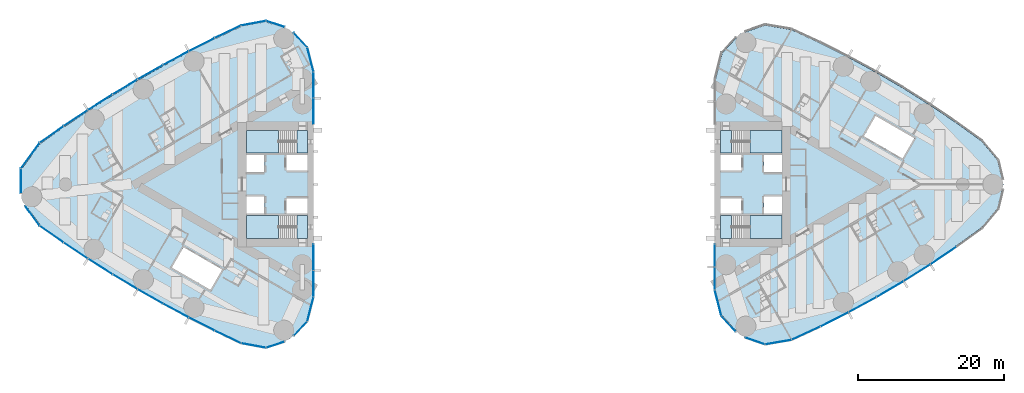
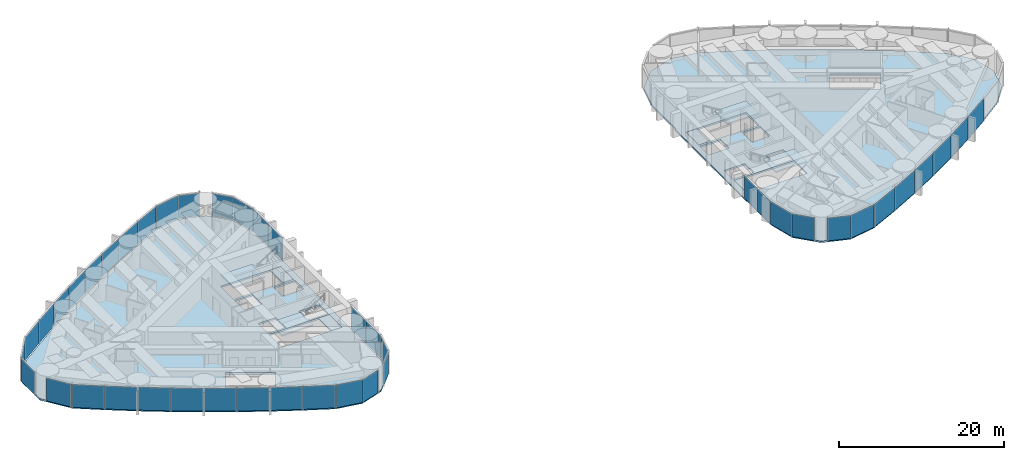
# One storey, part 10 of 19: 43 plates, 10 slabs, 10 elements without a shape of their own.
"""IFC4 building model written with IfcOpenShell, lengths in metres."""

import ifcopenshell
import ifcopenshell.guid

model = None  # the IFC model being written
_history = None  # IfcOwnerHistory: only IFC2X3 demands one
_inside = {}  # id of a spatial element -> (the spatial element, [elements in it])
_under = {}  # id of a project, library or spatial element -> (it, [spatial elements below it])
_declared = {}  # id of a project -> (the project, [libraries it declares])
_typed = {}  # id of a type object -> (the type object, [elements of that type])
_made_of = {}  # id of a material, layer set ... -> (it, [elements and type objects made of it])


def new_model(schema):
    """Start an empty IFC model of exactly this schema.

    Asked for "IFC4X3", IfcOpenShell would pick the latest addendum, in which some entities
    have other attributes; the version numbers below select the first issue.
    IFC2X3 requires an IfcOwnerHistory on every rooted entity: one is made here for all.
    """
    global model, _history
    if schema == "IFC4X3":
        model = ifcopenshell.file(schema_version=(4, 3, 0, 0))
    else:
        model = ifcopenshell.file(schema=schema)
    _inside.clear()
    _under.clear()
    _declared.clear()
    _typed.clear()
    _made_of.clear()
    _history = None
    if model.schema == "IFC2X3":
        org = make("IfcOrganization", Name="unknown")
        user = make(
            "IfcPersonAndOrganization",
            ThePerson=make("IfcPerson", FamilyName="unknown"),
            TheOrganization=org,
        )
        app = make(
            "IfcApplication",
            ApplicationDeveloper=org,
            Version="unknown",
            ApplicationFullName="unknown",
            ApplicationIdentifier="unknown",
        )
        _history = make(
            "IfcOwnerHistory",
            OwningUser=user,
            OwningApplication=app,
            ChangeAction="ADDED",
            CreationDate=0,
        )
    return model


def make(cls, **values):
    """One entity of the class cls with the attributes given. An attribute that is None is left unset."""
    return model.create_entity(
        cls, **{name: value for name, value in values.items() if value is not None}
    )


def rooted(cls, **values):
    """An entity with a GlobalId (a new one), such as an element, a storey or a relation."""
    return make(cls, GlobalId=ifcopenshell.guid.new(), OwnerHistory=_history, **values)


def si_unit(unit_type, name, prefix=None):
    """IfcSIUnit, for example si_unit("LENGTHUNIT", "METRE", prefix="MILLI")."""
    return make("IfcSIUnit", UnitType=unit_type, Prefix=prefix, Name=name)


def assignment(units):
    """IfcUnitAssignment: the units of a project."""
    return None if units is None else make("IfcUnitAssignment", Units=units)


def point(xyz):
    """IfcCartesianPoint."""
    return None if xyz is None else make("IfcCartesianPoint", Coordinates=xyz)


def direction(xyz):
    """IfcDirection."""
    return None if xyz is None else make("IfcDirection", DirectionRatios=xyz)


def frame(location, z_axis=None, x_axis=None):
    """IfcAxis2Placement3D, a coordinate frame: its origin and axes. An axis left out is left unset."""
    return make(
        "IfcAxis2Placement3D",
        Location=point(location),
        Axis=direction(z_axis),
        RefDirection=direction(x_axis),
    )


def frame_2d(location, x_axis=None):
    """IfcAxis2Placement2D, a coordinate frame in the plane: its origin and x axis."""
    return make(
        "IfcAxis2Placement2D", Location=point(location), RefDirection=direction(x_axis)
    )


def origin():
    """The frame at (0, 0, 0) with its axes left unset."""
    return frame((0.0, 0.0, 0.0))


def origin_2d():
    """The frame at (0, 0) in the plane with its x axis left unset."""
    return frame_2d((0.0, 0.0))


def place(relative_to, where):
    """IfcLocalPlacement: puts the frame where relative to a parent placement (None: the world)."""
    return make(
        "IfcLocalPlacement", PlacementRelTo=relative_to, RelativePlacement=where
    )


def context(
    kind, dimensions, precision=None, world=None, true_north=None, identifier=None
):
    """IfcGeometricRepresentationContext, for example the 3D "Model" context."""
    return make(
        "IfcGeometricRepresentationContext",
        ContextIdentifier=identifier,
        ContextType=kind,
        CoordinateSpaceDimension=dimensions,
        Precision=precision,
        WorldCoordinateSystem=world,
        TrueNorth=true_north,
    )


def subcontext(parent, identifier, kind, view, scale=None):
    """IfcGeometricRepresentationSubContext, for example "Body" below "Model"."""
    return make(
        "IfcGeometricRepresentationSubContext",
        ContextIdentifier=identifier,
        ContextType=kind,
        ParentContext=parent,
        TargetScale=scale,
        TargetView=view,
    )


def project(units=None, contexts=None):
    """IfcProject with its units and contexts."""
    return rooted(
        "IfcProject",
        Name="project",
        RepresentationContexts=contexts,
        UnitsInContext=assignment(units),
    )


def spatial(cls, under=None, at=None, **own):
    """A site, building, storey or space (cls), placed at a placement, below another one or the project."""
    s = rooted(cls, ObjectPlacement=at, **own)
    if under is not None:
        _under.setdefault(under.id(), (under, []))[1].append(s)
    return s


def polyline(points):
    """IfcPolyline through the points."""
    return make("IfcPolyline", Points=[point(p) for p in points])


def profile(cls, at=None, kind="AREA", **sizes):
    """A parametric profile (cls). Its sizes go by their IFC names, for example OverallWidth=200.0."""
    return make(cls, ProfileType=kind, Position=at, **sizes)


def rectangle(**sizes):
    """IfcRectangleProfileDef."""
    return profile("IfcRectangleProfileDef", **sizes)


def outline(outer, holes=None, kind="AREA"):
    """IfcArbitraryClosedProfileDef: a profile drawn as a closed curve; with holes, ...WithVoids."""
    if holes is None:
        return make("IfcArbitraryClosedProfileDef", ProfileType=kind, OuterCurve=outer)
    return make(
        "IfcArbitraryProfileDefWithVoids",
        ProfileType=kind,
        OuterCurve=outer,
        InnerCurves=holes,
    )


def extrude(swept, where, along, depth):
    """IfcExtrudedAreaSolid: the profile swept, set in the frame where, extruded along a direction by depth."""
    return make(
        "IfcExtrudedAreaSolid",
        SweptArea=swept,
        Position=where,
        ExtrudedDirection=direction(along),
        Depth=depth,
    )


def shape(context_of_items, identifier, shape_type, items):
    """IfcShapeRepresentation: the items that make up one representation, for example the "Body"."""
    return make(
        "IfcShapeRepresentation",
        ContextOfItems=context_of_items,
        RepresentationIdentifier=identifier,
        RepresentationType=shape_type,
        Items=items,
    )


def material(Name=None, Category=None):
    """IfcMaterial."""
    return make("IfcMaterial", Name=Name, Category=Category)


def layer(
    of_material, thickness, ventilated=None, Name=None, Category=None, Priority=None
):
    """IfcMaterialLayer: one layer of a wall or slab, of a material (None: an air gap)."""
    return make(
        "IfcMaterialLayer",
        Material=of_material,
        LayerThickness=thickness,
        IsVentilated=ventilated,
        Name=Name,
        Category=Category,
        Priority=Priority,
    )


def layer_set(layers, Name=None):
    """IfcMaterialLayerSet."""
    return make("IfcMaterialLayerSet", MaterialLayers=layers, LayerSetName=Name)


def made_of(thing, what):
    """Note that an element or type object is made of a material, layer set ...; save() writes the relation."""
    if what is not None:
        _made_of.setdefault(what.id(), (what, []))[1].append(thing)
    return thing


def type_object(cls, material=None, **own):
    """A type object (cls), such as IfcWallType, which elements share."""
    return made_of(rooted(cls, **own), material)


def element(
    cls,
    number,
    at=None,
    inside=None,
    cuts=None,
    type_object=None,
    material=None,
    context=None,
    identifier="Body",
    shape_type=None,
    held_by="IfcProductDefinitionShape",
    body=None,
    shapes=None,
    **own,
):
    """One element of the class cls, such as IfcWall. Its Tag is "e" and its number.

    at: its placement. inside: the storey or other place that contains it. cuts: it is an
    opening in that element (IfcRelVoidsElement). A single representation is given by context,
    identifier, shape_type and body (its items); several are given by shapes. held_by: the class
    of the entity that holds the representations. save() writes the other relations.
    """
    e = rooted(cls, Tag="e%d" % number, ObjectPlacement=at, **own)
    if body is not None:
        shapes = [shape(context, identifier, shape_type, body)]
    if shapes is not None:
        e.Representation = make(held_by, Representations=shapes)
    if inside is not None:
        _inside.setdefault(inside.id(), (inside, []))[1].append(e)
    if cuts is not None:
        rooted(
            "IfcRelVoidsElement", RelatingBuildingElement=cuts, RelatedOpeningElement=e
        )
    if type_object is not None:
        _typed.setdefault(type_object.id(), (type_object, []))[1].append(e)
    return made_of(e, material)


def aggregate(whole, parts):
    """IfcRelAggregates: a whole, such as a stair, and the parts it consists of."""
    return rooted("IfcRelAggregates", RelatingObject=whole, RelatedObjects=parts)


def save(model, path):
    """Write the relations noted so far, then the file.

    IfcRelAggregates (storeys below a building ...), IfcRelContainedInSpatialStructure (elements
    in a storey), IfcRelDefinesByType, IfcRelAssociatesMaterial and IfcRelDeclares: one each for
    every whole, place, type object, material and project.
    """
    for whole, parts in _under.values():
        aggregate(whole, parts)
    for where, things in _inside.values():
        rooted(
            "IfcRelContainedInSpatialStructure",
            RelatedElements=things,
            RelatingStructure=where,
        )
    for kind, things in _typed.values():
        rooted("IfcRelDefinesByType", RelatedObjects=things, RelatingType=kind)
    for what, things in _made_of.values():
        rooted("IfcRelAssociatesMaterial", RelatedObjects=things, RelatingMaterial=what)
    for by, libraries in _declared.values():
        rooted("IfcRelDeclares", RelatingContext=by, RelatedDefinitions=libraries)
    model.write(path)


model = new_model("IFC4")

# Units and contexts
model_context = context("Model", 3, precision=1e-05, world=origin(), true_north=direction((0.0, 1.0)))
body_context = subcontext(model_context, "Body", "Model", "MODEL_VIEW")
ifc_project = project(units=[si_unit("LENGTHUNIT", "METRE"), si_unit("AREAUNIT", "SQUARE_METRE"), si_unit("VOLUMEUNIT", "CUBIC_METRE"), si_unit("PLANEANGLEUNIT", "RADIAN"), si_unit("MASSUNIT", "GRAM", prefix="KILO")], contexts=[model_context])

# Site, building, storey
site_placement = place(None, origin())
site = spatial("IfcSite", under=ifc_project, at=site_placement, CompositionType="ELEMENT")
building_placement = place(site_placement, origin())
building = spatial("IfcBuilding", under=site, at=building_placement, Name="Lancet Gate Hotel", CompositionType="ELEMENT")
storey_placement = place(building_placement, frame((0.0, 0.0, 173.800048828125)))
storey = spatial("IfcBuildingStorey", under=building, at=storey_placement, Name="L46", CompositionType="ELEMENT", Elevation=173.800048828125)

# Slabs
ifc_material_1 = material(Name="Concrete C50/60", Category="concrete")
ifc_layer_1 = layer(ifc_material_1, 0.25)
ifc_layer_set_1 = layer_set([ifc_layer_1], Name="Floor slab 250")
slab_type_1 = type_object("IfcSlabType", Name="Floor slab 250", PredefinedType="FLOOR", material=ifc_layer_set_1)
slab_1_placement = place(storey_placement, frame((0.0, 0.0, -0.25)))
element("IfcSlab", 1, at=slab_1_placement, inside=storey, type_object=slab_type_1, Name="T1 L46 floor slab", PredefinedType="FLOOR", context=body_context, shape_type="SweptSolid", body=[
    extrude(outline(polyline([(-27.5, 8.60009765625), (-27.6201171875, 8.60009765625), (-27.6201171875, 15.408203125), (-28.46923828125, 18.7265625), (-30.797607421875, 21.217529296875), (-34.0361328125, 22.283935546875), (-37.403564453125, 21.660400390625), (-40.996826171875, 19.9453125), (-44.561767578125, 18.139404296875), (-48.0830078125, 16.250244140625), (-51.558837890625, 14.27880859375), (-54.987548828125, 12.22607421875), (-58.366943359375, 10.09326171875), (-61.695068359375, 7.881591796875), (-64.955322265625, 5.602783203125), (-67.49560546875, 2.138427734375), (-67.49560546875, -2.138427734375), (-64.955322265625, -5.602783203125), (-61.695068359375, -7.881591796875), (-58.366943359375, -10.09326171875), (-54.987548828125, -12.22607421875), (-51.558837890625, -14.27880859375), (-48.0830078125, -16.250244140625), (-44.561767578125, -18.139404296875), (-40.996826171875, -19.9453125), (-37.403564453125, -21.660400390625), (-34.0361328125, -22.283935546875), (-30.797607421875, -21.217529296875), (-28.46923828125, -18.7265625), (-27.6201171875, -15.408203125), (-27.6201171875, -8.60009765625), (-27.5, -8.60009765625), (-27.5, -8.199951171875), (-27.5, 8.199951171875), (-27.5, 8.60009765625)]), holes=[polyline([(-36.699951171875, 7.39990234375), (-36.699951171875, 4.300048828125), (-28.300048828125, 4.300048828125), (-28.300048828125, 7.39990234375), (-36.699951171875, 7.39990234375)]), polyline([(-28.300048828125, 4.0), (-31.199951171875, 4.0), (-31.199951171875, 1.89990234375), (-28.300048828125, 1.89990234375), (-28.300048828125, 4.0)]), polyline([(-34.25, 4.0), (-36.699951171875, 4.0), (-36.699951171875, 1.64990234375), (-34.25, 1.64990234375), (-34.25, 4.0)]), polyline([(-36.699951171875, -1.64990234375), (-36.699951171875, -4.0), (-34.25, -4.0), (-34.25, -1.64990234375), (-36.699951171875, -1.64990234375)]), polyline([(-28.300048828125, -1.89990234375), (-31.199951171875, -1.89990234375), (-31.199951171875, -4.0), (-28.300048828125, -4.0), (-28.300048828125, -1.89990234375)]), polyline([(-28.300048828125, -4.300048828125), (-36.699951171875, -4.300048828125), (-36.699951171875, -7.39990234375), (-28.300048828125, -7.39990234375), (-28.300048828125, -4.300048828125)]), polyline([(-45.319091796875, -8.631103515625), (-46.9189453125, -11.402099609375), (-41.635986328125, -14.451904296875), (-40.035888671875, -11.680908203125), (-45.319091796875, -8.631103515625)])]), origin(), (0.0, 0.0, 1.0), 0.25),
])
slab_2_placement = place(storey_placement, frame((0.0, 0.0, -0.25)))
element("IfcSlab", 2, at=slab_2_placement, inside=storey, type_object=slab_type_1, Name="T2 L46 floor slab", PredefinedType="FLOOR", context=body_context, shape_type="SweptSolid", body=[
    extrude(outline(polyline([(27.5, -8.60009765625), (27.6201171875, -8.60009765625), (27.6201171875, -14.450439453125), (28.517822265625, -17.9853515625), (30.98291015625, -20.65185546875), (34.421875, -21.819091796875), (38.01513671875, -21.201171875), (41.9296875, -19.383056640625), (45.796875, -17.435302734375), (49.6005859375, -15.36572265625), (53.336669921875, -13.1767578125), (57.00146484375, -10.87060546875), (60.591552734375, -8.44921875), (64.092041015625, -5.9228515625), (66.283447265625, -3.307373046875), (67.06640625, 0.0), (66.283447265625, 3.307373046875), (64.092041015625, 5.9228515625), (60.591552734375, 8.44921875), (57.00146484375, 10.87060546875), (53.336669921875, 13.1767578125), (49.6005859375, 15.36572265625), (45.796875, 17.435302734375), (41.9296875, 19.383056640625), (38.01513671875, 21.201171875), (34.421875, 21.819091796875), (30.98291015625, 20.65185546875), (28.517822265625, 17.9853515625), (27.6201171875, 14.450439453125), (27.6201171875, 8.60009765625), (27.5, 8.60009765625), (27.5, 8.199951171875), (27.5, -8.199951171875), (27.5, -8.60009765625)]), holes=[polyline([(36.699951171875, -7.39990234375), (36.699951171875, -4.300048828125), (28.300048828125, -4.300048828125), (28.300048828125, -7.39990234375), (36.699951171875, -7.39990234375)]), polyline([(28.300048828125, -4.0), (31.199951171875, -4.0), (31.199951171875, -1.89990234375), (28.300048828125, -1.89990234375), (28.300048828125, -4.0)]), polyline([(34.25, -4.0), (36.699951171875, -4.0), (36.699951171875, -1.64990234375), (34.25, -1.64990234375), (34.25, -4.0)]), polyline([(36.699951171875, 1.64990234375), (36.699951171875, 4.0), (34.25, 4.0), (34.25, 1.64990234375), (36.699951171875, 1.64990234375)]), polyline([(28.300048828125, 1.89990234375), (31.199951171875, 1.89990234375), (31.199951171875, 4.0), (28.300048828125, 4.0), (28.300048828125, 1.89990234375)]), polyline([(28.300048828125, 4.300048828125), (36.699951171875, 4.300048828125), (36.699951171875, 7.39990234375), (28.300048828125, 7.39990234375), (28.300048828125, 4.300048828125)]), polyline([(53.242919921875, 3.555908203125), (54.843017578125, 6.326904296875), (49.56103515625, 9.376953125), (47.9609375, 6.60595703125), (53.242919921875, 3.555908203125)])]), origin(), (0.0, 0.0, 1.0), 0.25),
])

# Stair, slabs
ifc_material_2 = material(Name="Exit stair 20 risers 1500")
stair_type = type_object("IfcStairType", Name="Exit stair 20 risers 1500", PredefinedType="HALF_TURN_STAIR", material=ifc_material_2)
stair_1_placement = place(storey_placement, origin())
stair_1 = element("IfcStair", 3, at=stair_1_placement, inside=storey, type_object=stair_type, Name="T1 stair 1 L46", PredefinedType="HALF_TURN_STAIR")
ifc_material_3 = material(Name="Concrete C40/50", Category="concrete")
ifc_layer_2 = layer(ifc_material_3, 0.199951171875)
ifc_layer_set_2 = layer_set([ifc_layer_2], Name="Stair landing 200")
slab_type_2 = type_object("IfcSlabType", Name="Stair landing 200", PredefinedType="LANDING", material=ifc_layer_set_2)
slab_3_placement = place(storey_placement, frame((0.0, 0.0, -0.199951171875)))
slab_3 = element("IfcSlab", 4, at=slab_3_placement, type_object=slab_type_2, Name="ST1 landing 1", PredefinedType="LANDING", context=body_context, shape_type="SweptSolid", body=[
    extrude(outline(polyline([(-28.300048828125, 7.39990234375), (-29.800048828125, 7.39990234375), (-29.800048828125, 4.300048828125), (-28.300048828125, 4.300048828125), (-28.300048828125, 7.39990234375)])), origin(), (0.0, 0.0, 1.0), 0.199951171875),
])
slab_4_placement = place(storey_placement, frame((0.0, 0.0, 1.550048828125)))
slab_4 = element("IfcSlab", 5, at=slab_4_placement, type_object=slab_type_2, Name="ST1 landing 2", PredefinedType="LANDING", context=body_context, shape_type="SweptSolid", body=[
    extrude(outline(polyline([(-32.320068359375, 7.39990234375), (-36.699951171875, 7.39990234375), (-36.699951171875, 4.300048828125), (-32.320068359375, 4.300048828125), (-32.320068359375, 7.39990234375)])), origin(), (0.0, 0.0, 1.0), 0.199951171875),
])
aggregate(stair_1, [slab_3, slab_4])

stair_2_placement = place(storey_placement, origin())
stair_2 = element("IfcStair", 6, at=stair_2_placement, inside=storey, type_object=stair_type, Name="T1 stair 2 L46", PredefinedType="HALF_TURN_STAIR")
slab_5_placement = place(storey_placement, frame((0.0, 0.0, -0.199951171875)))
slab_5 = element("IfcSlab", 7, at=slab_5_placement, type_object=slab_type_2, Name="ST2 landing 1", PredefinedType="LANDING", context=body_context, shape_type="SweptSolid", body=[
    extrude(outline(polyline([(-28.300048828125, -4.300048828125), (-29.800048828125, -4.300048828125), (-29.800048828125, -7.39990234375), (-28.300048828125, -7.39990234375), (-28.300048828125, -4.300048828125)])), origin(), (0.0, 0.0, 1.0), 0.199951171875),
])
slab_6_placement = place(storey_placement, frame((0.0, 0.0, 1.550048828125)))
slab_6 = element("IfcSlab", 8, at=slab_6_placement, type_object=slab_type_2, Name="ST2 landing 2", PredefinedType="LANDING", context=body_context, shape_type="SweptSolid", body=[
    extrude(outline(polyline([(-32.320068359375, -4.300048828125), (-36.699951171875, -4.300048828125), (-36.699951171875, -7.39990234375), (-32.320068359375, -7.39990234375), (-32.320068359375, -4.300048828125)])), origin(), (0.0, 0.0, 1.0), 0.199951171875),
])
aggregate(stair_2, [slab_5, slab_6])

stair_3_placement = place(storey_placement, origin())
stair_3 = element("IfcStair", 9, at=stair_3_placement, inside=storey, type_object=stair_type, Name="T2 stair 1 L46", PredefinedType="HALF_TURN_STAIR")
slab_7_placement = place(storey_placement, frame((0.0, 0.0, -0.199951171875)))
slab_7 = element("IfcSlab", 10, at=slab_7_placement, type_object=slab_type_2, Name="ST3 landing 1", PredefinedType="LANDING", context=body_context, shape_type="SweptSolid", body=[
    extrude(outline(polyline([(28.300048828125, -7.39990234375), (29.800048828125, -7.39990234375), (29.800048828125, -4.300048828125), (28.300048828125, -4.300048828125), (28.300048828125, -7.39990234375)])), origin(), (0.0, 0.0, 1.0), 0.199951171875),
])
slab_8_placement = place(storey_placement, frame((0.0, 0.0, 1.550048828125)))
slab_8 = element("IfcSlab", 11, at=slab_8_placement, type_object=slab_type_2, Name="ST3 landing 2", PredefinedType="LANDING", context=body_context, shape_type="SweptSolid", body=[
    extrude(outline(polyline([(32.320068359375, -7.39990234375), (36.699951171875, -7.39990234375), (36.699951171875, -4.300048828125), (32.320068359375, -4.300048828125), (32.320068359375, -7.39990234375)])), origin(), (0.0, 0.0, 1.0), 0.199951171875),
])
aggregate(stair_3, [slab_7, slab_8])

stair_4_placement = place(storey_placement, origin())
stair_4 = element("IfcStair", 12, at=stair_4_placement, inside=storey, type_object=stair_type, Name="T2 stair 2 L46", PredefinedType="HALF_TURN_STAIR")
slab_9_placement = place(storey_placement, frame((0.0, 0.0, -0.199951171875)))
slab_9 = element("IfcSlab", 13, at=slab_9_placement, type_object=slab_type_2, Name="ST4 landing 1", PredefinedType="LANDING", context=body_context, shape_type="SweptSolid", body=[
    extrude(outline(polyline([(28.300048828125, 4.300048828125), (29.800048828125, 4.300048828125), (29.800048828125, 7.39990234375), (28.300048828125, 7.39990234375), (28.300048828125, 4.300048828125)])), origin(), (0.0, 0.0, 1.0), 0.199951171875),
])
slab_10_placement = place(storey_placement, frame((0.0, 0.0, 1.550048828125)))
slab_10 = element("IfcSlab", 14, at=slab_10_placement, type_object=slab_type_2, Name="ST4 landing 2", PredefinedType="LANDING", context=body_context, shape_type="SweptSolid", body=[
    extrude(outline(polyline([(32.320068359375, 4.300048828125), (36.699951171875, 4.300048828125), (36.699951171875, 7.39990234375), (32.320068359375, 7.39990234375), (32.320068359375, 4.300048828125)])), origin(), (0.0, 0.0, 1.0), 0.199951171875),
])
aggregate(stair_4, [slab_9, slab_10])

# Curtain wall, plates
ifc_material_4 = material(Name="Aluminium curtain wall", Category="aluminium")
curtain_wall_type = type_object("IfcCurtainWallType", Name="Tower unitised curtain wall", PredefinedType="USERDEFINED", material=ifc_material_4)
curtain_wall_1_placement = place(storey_placement, origin())
curtain_wall_1 = element("IfcCurtainWall", 15, at=curtain_wall_1_placement, inside=storey, type_object=curtain_wall_type, Name="T1 L46 curtain wall 1", ObjectType="UNITISED CURTAIN WALL", PredefinedType="USERDEFINED")
ifc_material_5 = material(Name="Glass double glazed unit 8-16-6", Category="glass")
ifc_layer_3 = layer(ifc_material_5, 0.030029296875)
ifc_layer_set_3 = layer_set([ifc_layer_3], Name="Vision panel double glazed")
plate_type = type_object("IfcPlateType", Name="Vision panel double glazed", PredefinedType="CURTAIN_PANEL", material=ifc_layer_set_3)
plate_1_placement = place(storey_placement, frame((-27.5, 10.005859375, 0.0), z_axis=(0.0, 0.0, 1.0), x_axis=(0.0, 1.0, 0.0)))
plate_1 = element("IfcPlate", 16, at=plate_1_placement, type_object=plate_type, Name="T1 L46 curtain wall 1 panel 1", PredefinedType="CURTAIN_PANEL", context=body_context, shape_type="SweptSolid", body=[
    extrude(rectangle(XDim=3.546630859375, YDim=0.030029296875, at=origin_2d()), origin(), (0.0, 0.0, 1.0), 3.35009765625),
])
plate_2_placement = place(storey_placement, frame((-27.5, 13.617431640625, 0.0), z_axis=(0.0, 0.0, 1.0), x_axis=(0.0, 1.0, 0.0)))
plate_2 = element("IfcPlate", 17, at=plate_2_placement, type_object=plate_type, Name="T1 L46 curtain wall 1 panel 2", PredefinedType="CURTAIN_PANEL", context=body_context, shape_type="SweptSolid", body=[
    extrude(rectangle(XDim=3.546630859375, YDim=0.030029296875, at=origin_2d()), origin(), (0.0, 0.0, 1.0), 3.35009765625),
])
plate_3_placement = place(storey_placement, frame((-27.930419921875, 17.104736328125, 0.0), z_axis=(0.0, 0.0, 1.0), x_axis=(-0.247936754654, 0.968776220647, 0.0)))
plate_3 = element("IfcPlate", 18, at=plate_3_placement, type_object=plate_type, Name="T1 L46 curtain wall 1 panel 3", PredefinedType="CURTAIN_PANEL", context=body_context, shape_type="SweptSolid", body=[
    extrude(rectangle(XDim=3.406005859375, YDim=0.030029296875, at=origin_2d()), origin(), (0.0, 0.0, 1.0), 3.35009765625),
])
plate_4_placement = place(storey_placement, frame((-29.28564453125, 19.77587890625, 0.0), z_axis=(0.0, 0.0, 1.0), x_axis=(-0.682844962172, 0.730563315282, 0.0)))
plate_4 = element("IfcPlate", 19, at=plate_4_placement, type_object=plate_type, Name="T1 L46 curtain wall 1 panel 4", PredefinedType="CURTAIN_PANEL", context=body_context, shape_type="SweptSolid", body=[
    extrude(rectangle(XDim=2.64453125, YDim=0.030029296875, at=origin_2d()), origin(), (0.0, 0.0, 1.0), 3.35009765625),
])
aggregate(curtain_wall_1, [plate_1, plate_2, plate_3, plate_4])

curtain_wall_2_placement = place(storey_placement, origin())
curtain_wall_2 = element("IfcCurtainWall", 20, at=curtain_wall_2_placement, inside=storey, type_object=curtain_wall_type, Name="T1 L46 curtain wall 2", ObjectType="UNITISED CURTAIN WALL", PredefinedType="USERDEFINED")
plate_5_placement = place(storey_placement, frame((-32.740234375, 21.983642578125, 0.0), z_axis=(0.0, 0.0, 1.0), x_axis=(-0.949848055084, 0.312711803827, 0.0)))
plate_5 = element("IfcPlate", 21, at=plate_5_placement, type_object=plate_type, Name="T1 L46 curtain wall 2 panel 1", PredefinedType="CURTAIN_PANEL", context=body_context, shape_type="SweptSolid", body=[
    extrude(rectangle(XDim=2.64599609375, YDim=0.030029296875, at=origin_2d()), origin(), (0.0, 0.0, 1.0), 3.35009765625),
])
plate_6_placement = place(storey_placement, frame((-35.734375, 22.091552734375, 0.0), z_axis=(0.0, 0.0, 1.0), x_axis=(-0.983292499426, -0.182032581075, 0.0)))
plate_6 = element("IfcPlate", 22, at=plate_6_placement, type_object=plate_type, Name="T1 L46 curtain wall 2 panel 2", PredefinedType="CURTAIN_PANEL", context=body_context, shape_type="SweptSolid", body=[
    extrude(rectangle(XDim=3.406005859375, YDim=0.030029296875, at=origin_2d()), origin(), (0.0, 0.0, 1.0), 3.35009765625),
])
plate_7_placement = place(storey_placement, frame((-39.245361328125, 20.914306640625, 0.0), z_axis=(0.0, 0.0, 1.0), x_axis=(-0.902453530018, -0.430787216799, 0.0)))
plate_7 = element("IfcPlate", 23, at=plate_7_placement, type_object=plate_type, Name="T1 L46 curtain wall 2 panel 3", PredefinedType="CURTAIN_PANEL", context=body_context, shape_type="SweptSolid", body=[
    extrude(rectangle(XDim=3.933837890625, YDim=0.030029296875, at=origin_2d()), origin(), (0.0, 0.0, 1.0), 3.35009765625),
])
plate_8_placement = place(storey_placement, frame((-42.83349609375, 19.1494140625, 0.0), z_axis=(0.0, 0.0, 1.0), x_axis=(-0.892071119911, -0.451895028762, 0.0)))
plate_8 = element("IfcPlate", 24, at=plate_8_placement, type_object=plate_type, Name="T1 L46 curtain wall 2 panel 4", PredefinedType="CURTAIN_PANEL", context=body_context, shape_type="SweptSolid", body=[
    extrude(rectangle(XDim=3.933837890625, YDim=0.030029296875, at=origin_2d()), origin(), (0.0, 0.0, 1.0), 3.35009765625),
])
plate_9_placement = place(storey_placement, frame((-46.379150390625, 17.300537109375, 0.0), z_axis=(0.0, 0.0, 1.0), x_axis=(-0.881195096384, -0.472752791751, 0.0)))
plate_9 = element("IfcPlate", 25, at=plate_9_placement, type_object=plate_type, Name="T1 L46 curtain wall 2 panel 5", PredefinedType="CURTAIN_PANEL", context=body_context, shape_type="SweptSolid", body=[
    extrude(rectangle(XDim=3.933837890625, YDim=0.030029296875, at=origin_2d()), origin(), (0.0, 0.0, 1.0), 3.35009765625),
])
plate_10_placement = place(storey_placement, frame((-49.880126953125, 15.368896484375, 0.0), z_axis=(0.0, 0.0, 1.0), x_axis=(-0.869831477496, -0.493348964484, 0.0)))
plate_10 = element("IfcPlate", 26, at=plate_10_placement, type_object=plate_type, Name="T1 L46 curtain wall 2 panel 6", PredefinedType="CURTAIN_PANEL", context=body_context, shape_type="SweptSolid", body=[
    extrude(rectangle(XDim=3.933837890625, YDim=0.030029296875, at=origin_2d()), origin(), (0.0, 0.0, 1.0), 3.35009765625),
])
plate_11_placement = place(storey_placement, frame((-53.3349609375, 13.35546875, 0.0), z_axis=(0.0, 0.0, 1.0), x_axis=(-0.857986551132, -0.51367215038, 0.0)))
plate_11 = element("IfcPlate", 27, at=plate_11_placement, type_object=plate_type, Name="T1 L46 curtain wall 2 panel 7", PredefinedType="CURTAIN_PANEL", context=body_context, shape_type="SweptSolid", body=[
    extrude(rectangle(XDim=3.933837890625, YDim=0.030029296875, at=origin_2d()), origin(), (0.0, 0.0, 1.0), 3.35009765625),
])
plate_12_placement = place(storey_placement, frame((-56.7412109375, 11.26123046875, 0.0), z_axis=(0.0, 0.0, 1.0), x_axis=(-0.845666871497, -0.533711103925, 0.0)))
plate_12 = element("IfcPlate", 28, at=plate_12_placement, type_object=plate_type, Name="T1 L46 curtain wall 2 panel 8", PredefinedType="CURTAIN_PANEL", context=body_context, shape_type="SweptSolid", body=[
    extrude(rectangle(XDim=3.933837890625, YDim=0.030029296875, at=origin_2d()), origin(), (0.0, 0.0, 1.0), 3.35009765625),
])
plate_13_placement = place(storey_placement, frame((-60.097412109375, 9.08740234375, 0.0), z_axis=(0.0, 0.0, 1.0), x_axis=(-0.832879255498, -0.553454736867, 0.0)))
plate_13 = element("IfcPlate", 29, at=plate_13_placement, type_object=plate_type, Name="T1 L46 curtain wall 2 panel 9", PredefinedType="CURTAIN_PANEL", context=body_context, shape_type="SweptSolid", body=[
    extrude(rectangle(XDim=3.933837890625, YDim=0.030029296875, at=origin_2d()), origin(), (0.0, 0.0, 1.0), 3.35009765625),
])
plate_14_placement = place(storey_placement, frame((-63.401611328125, 6.835205078125, 0.0), z_axis=(0.0, 0.0, 1.0), x_axis=(-0.819630778943, -0.572892124409, 0.0)))
plate_14 = element("IfcPlate", 30, at=plate_14_placement, type_object=plate_type, Name="T1 L46 curtain wall 2 panel 10", PredefinedType="CURTAIN_PANEL", context=body_context, shape_type="SweptSolid", body=[
    extrude(rectangle(XDim=3.933837890625, YDim=0.030029296875, at=origin_2d()), origin(), (0.0, 0.0, 1.0), 3.35009765625),
])
plate_15_placement = place(storey_placement, frame((-66.328125, 3.933837890625, 0.0), z_axis=(0.0, 0.0, 1.0), x_axis=(-0.591299785592, -0.806451835858, 0.0)))
plate_15 = element("IfcPlate", 31, at=plate_15_placement, type_object=plate_type, Name="T1 L46 curtain wall 2 panel 11", PredefinedType="CURTAIN_PANEL", context=body_context, shape_type="SweptSolid", body=[
    extrude(rectangle(XDim=4.290283203125, YDim=0.030029296875, at=origin_2d()), origin(), (0.0, 0.0, 1.0), 3.35009765625),
])
plate_16_placement = place(storey_placement, frame((-67.61572265625, 0.478515625, 0.0), z_axis=(0.0, 0.0, 1.0), x_axis=(0.0, -1.0, 0.0)))
plate_16 = element("IfcPlate", 32, at=plate_16_placement, type_object=plate_type, Name="T1 L46 curtain wall 2 panel 12", PredefinedType="CURTAIN_PANEL", context=body_context, shape_type="SweptSolid", body=[
    extrude(rectangle(XDim=3.333251953125, YDim=0.030029296875, at=origin_2d()), origin(), (0.0, 0.0, 1.0), 3.35009765625),
])
aggregate(curtain_wall_2, [plate_5, plate_6, plate_7, plate_8, plate_9, plate_10, plate_11, plate_12, plate_13, plate_14, plate_15, plate_16])

curtain_wall_3_placement = place(storey_placement, origin())
curtain_wall_3 = element("IfcCurtainWall", 33, at=curtain_wall_3_placement, inside=storey, type_object=curtain_wall_type, Name="T1 L46 curtain wall 3", ObjectType="UNITISED CURTAIN WALL", PredefinedType="USERDEFINED")
plate_17_placement = place(storey_placement, frame((-66.04541015625, -4.3193359375, 0.0), z_axis=(0.0, 0.0, 1.0), x_axis=(0.591299785592, -0.806451835858, 0.0)))
plate_17 = element("IfcPlate", 34, at=plate_17_placement, type_object=plate_type, Name="T1 L46 curtain wall 3 panel 1", PredefinedType="CURTAIN_PANEL", context=body_context, shape_type="SweptSolid", body=[
    extrude(rectangle(XDim=3.334228515625, YDim=0.030029296875, at=origin_2d()), origin(), (0.0, 0.0, 1.0), 3.35009765625),
])
plate_18_placement = place(storey_placement, frame((-63.401611328125, -6.835205078125, 0.0), z_axis=(0.0, 0.0, 1.0), x_axis=(0.819630778943, -0.572892124409, 0.0)))
plate_18 = element("IfcPlate", 35, at=plate_18_placement, type_object=plate_type, Name="T1 L46 curtain wall 3 panel 2", PredefinedType="CURTAIN_PANEL", context=body_context, shape_type="SweptSolid", body=[
    extrude(rectangle(XDim=3.933837890625, YDim=0.030029296875, at=origin_2d()), origin(), (0.0, 0.0, 1.0), 3.35009765625),
])
plate_19_placement = place(storey_placement, frame((-60.097412109375, -9.08740234375, 0.0), z_axis=(0.0, 0.0, 1.0), x_axis=(0.832879255498, -0.553454736867, 0.0)))
plate_19 = element("IfcPlate", 36, at=plate_19_placement, type_object=plate_type, Name="T1 L46 curtain wall 3 panel 3", PredefinedType="CURTAIN_PANEL", context=body_context, shape_type="SweptSolid", body=[
    extrude(rectangle(XDim=3.933837890625, YDim=0.030029296875, at=origin_2d()), origin(), (0.0, 0.0, 1.0), 3.35009765625),
])
plate_20_placement = place(storey_placement, frame((-56.7412109375, -11.26123046875, 0.0), z_axis=(0.0, 0.0, 1.0), x_axis=(0.845666871497, -0.533711103925, 0.0)))
plate_20 = element("IfcPlate", 37, at=plate_20_placement, type_object=plate_type, Name="T1 L46 curtain wall 3 panel 4", PredefinedType="CURTAIN_PANEL", context=body_context, shape_type="SweptSolid", body=[
    extrude(rectangle(XDim=3.933837890625, YDim=0.030029296875, at=origin_2d()), origin(), (0.0, 0.0, 1.0), 3.35009765625),
])
plate_21_placement = place(storey_placement, frame((-53.3349609375, -13.35546875, 0.0), z_axis=(0.0, 0.0, 1.0), x_axis=(0.857986551132, -0.51367215038, 0.0)))
plate_21 = element("IfcPlate", 38, at=plate_21_placement, type_object=plate_type, Name="T1 L46 curtain wall 3 panel 5", PredefinedType="CURTAIN_PANEL", context=body_context, shape_type="SweptSolid", body=[
    extrude(rectangle(XDim=3.933837890625, YDim=0.030029296875, at=origin_2d()), origin(), (0.0, 0.0, 1.0), 3.35009765625),
])
plate_22_placement = place(storey_placement, frame((-49.880126953125, -15.368896484375, 0.0), z_axis=(0.0, 0.0, 1.0), x_axis=(0.869831477496, -0.493348964484, 0.0)))
plate_22 = element("IfcPlate", 39, at=plate_22_placement, type_object=plate_type, Name="T1 L46 curtain wall 3 panel 6", PredefinedType="CURTAIN_PANEL", context=body_context, shape_type="SweptSolid", body=[
    extrude(rectangle(XDim=3.933837890625, YDim=0.030029296875, at=origin_2d()), origin(), (0.0, 0.0, 1.0), 3.35009765625),
])
plate_23_placement = place(storey_placement, frame((-46.379150390625, -17.300537109375, 0.0), z_axis=(0.0, 0.0, 1.0), x_axis=(0.881195096384, -0.472752791751, 0.0)))
plate_23 = element("IfcPlate", 40, at=plate_23_placement, type_object=plate_type, Name="T1 L46 curtain wall 3 panel 7", PredefinedType="CURTAIN_PANEL", context=body_context, shape_type="SweptSolid", body=[
    extrude(rectangle(XDim=3.933837890625, YDim=0.030029296875, at=origin_2d()), origin(), (0.0, 0.0, 1.0), 3.35009765625),
])
plate_24_placement = place(storey_placement, frame((-42.83349609375, -19.1494140625, 0.0), z_axis=(0.0, 0.0, 1.0), x_axis=(0.892071119911, -0.451895028762, 0.0)))
plate_24 = element("IfcPlate", 41, at=plate_24_placement, type_object=plate_type, Name="T1 L46 curtain wall 3 panel 8", PredefinedType="CURTAIN_PANEL", context=body_context, shape_type="SweptSolid", body=[
    extrude(rectangle(XDim=3.933837890625, YDim=0.030029296875, at=origin_2d()), origin(), (0.0, 0.0, 1.0), 3.35009765625),
])
plate_25_placement = place(storey_placement, frame((-39.245361328125, -20.914306640625, 0.0), z_axis=(0.0, 0.0, 1.0), x_axis=(0.902453530018, -0.430787216799, 0.0)))
plate_25 = element("IfcPlate", 42, at=plate_25_placement, type_object=plate_type, Name="T1 L46 curtain wall 3 panel 9", PredefinedType="CURTAIN_PANEL", context=body_context, shape_type="SweptSolid", body=[
    extrude(rectangle(XDim=3.933837890625, YDim=0.030029296875, at=origin_2d()), origin(), (0.0, 0.0, 1.0), 3.35009765625),
])
plate_26_placement = place(storey_placement, frame((-35.734375, -22.091552734375, 0.0), z_axis=(0.0, 0.0, 1.0), x_axis=(0.983292499426, -0.182032581075, 0.0)))
plate_26 = element("IfcPlate", 43, at=plate_26_placement, type_object=plate_type, Name="T1 L46 curtain wall 3 panel 10", PredefinedType="CURTAIN_PANEL", context=body_context, shape_type="SweptSolid", body=[
    extrude(rectangle(XDim=3.406005859375, YDim=0.030029296875, at=origin_2d()), origin(), (0.0, 0.0, 1.0), 3.35009765625),
])
plate_27_placement = place(storey_placement, frame((-32.740234375, -21.983642578125, 0.0), z_axis=(0.0, 0.0, 1.0), x_axis=(0.949848055084, 0.312711803827, 0.0)))
plate_27 = element("IfcPlate", 44, at=plate_27_placement, type_object=plate_type, Name="T1 L46 curtain wall 3 panel 11", PredefinedType="CURTAIN_PANEL", context=body_context, shape_type="SweptSolid", body=[
    extrude(rectangle(XDim=2.64599609375, YDim=0.030029296875, at=origin_2d()), origin(), (0.0, 0.0, 1.0), 3.35009765625),
])
aggregate(curtain_wall_3, [plate_17, plate_18, plate_19, plate_20, plate_21, plate_22, plate_23, plate_24, plate_25, plate_26, plate_27])

curtain_wall_4_placement = place(storey_placement, origin())
curtain_wall_4 = element("IfcCurtainWall", 45, at=curtain_wall_4_placement, inside=storey, type_object=curtain_wall_type, Name="T1 L46 curtain wall 4", ObjectType="UNITISED CURTAIN WALL", PredefinedType="USERDEFINED")
plate_28_placement = place(storey_placement, frame((-29.28564453125, -19.77587890625, 0.0), z_axis=(0.0, 0.0, 1.0), x_axis=(0.682844962172, 0.730563315282, 0.0)))
plate_28 = element("IfcPlate", 46, at=plate_28_placement, type_object=plate_type, Name="T1 L46 curtain wall 4 panel 1", PredefinedType="CURTAIN_PANEL", context=body_context, shape_type="SweptSolid", body=[
    extrude(rectangle(XDim=2.64453125, YDim=0.030029296875, at=origin_2d()), origin(), (0.0, 0.0, 1.0), 3.35009765625),
])
plate_29_placement = place(storey_placement, frame((-27.930419921875, -17.104736328125, 0.0), z_axis=(0.0, 0.0, 1.0), x_axis=(0.247936754654, 0.968776220647, 0.0)))
plate_29 = element("IfcPlate", 47, at=plate_29_placement, type_object=plate_type, Name="T1 L46 curtain wall 4 panel 2", PredefinedType="CURTAIN_PANEL", context=body_context, shape_type="SweptSolid", body=[
    extrude(rectangle(XDim=3.406005859375, YDim=0.030029296875, at=origin_2d()), origin(), (0.0, 0.0, 1.0), 3.35009765625),
])
plate_30_placement = place(storey_placement, frame((-27.5, -13.617431640625, 0.0), z_axis=(0.0, 0.0, 1.0), x_axis=(0.0, 1.0, 0.0)))
plate_30 = element("IfcPlate", 48, at=plate_30_placement, type_object=plate_type, Name="T1 L46 curtain wall 4 panel 3", PredefinedType="CURTAIN_PANEL", context=body_context, shape_type="SweptSolid", body=[
    extrude(rectangle(XDim=3.546630859375, YDim=0.030029296875, at=origin_2d()), origin(), (0.0, 0.0, 1.0), 3.35009765625),
])
plate_31_placement = place(storey_placement, frame((-27.5, -10.005859375, 0.0), z_axis=(0.0, 0.0, 1.0), x_axis=(0.0, 1.0, 0.0)))
plate_31 = element("IfcPlate", 49, at=plate_31_placement, type_object=plate_type, Name="T1 L46 curtain wall 4 panel 4", PredefinedType="CURTAIN_PANEL", context=body_context, shape_type="SweptSolid", body=[
    extrude(rectangle(XDim=3.546630859375, YDim=0.030029296875, at=origin_2d()), origin(), (0.0, 0.0, 1.0), 3.35009765625),
])
aggregate(curtain_wall_4, [plate_28, plate_29, plate_30, plate_31])

curtain_wall_5_placement = place(storey_placement, origin())
curtain_wall_5 = element("IfcCurtainWall", 50, at=curtain_wall_5_placement, inside=storey, type_object=curtain_wall_type, Name="T2 L46 curtain wall 1", ObjectType="UNITISED CURTAIN WALL", PredefinedType="USERDEFINED")
plate_32_placement = place(storey_placement, frame((27.5, -9.766357421875, 0.0), z_axis=(0.0, 0.0, 1.0), x_axis=(0.0, -1.0, 0.0)))
plate_32 = element("IfcPlate", 51, at=plate_32_placement, type_object=plate_type, Name="T2 L46 curtain wall 1 panel 1", PredefinedType="CURTAIN_PANEL", context=body_context, shape_type="SweptSolid", body=[
    extrude(rectangle(XDim=3.06787109375, YDim=0.030029296875, at=origin_2d()), origin(), (0.0, 0.0, 1.0), 3.35009765625),
])
plate_33_placement = place(storey_placement, frame((27.5, -12.899169921875, 0.0), z_axis=(0.0, 0.0, 1.0), x_axis=(0.0, -1.0, 0.0)))
plate_33 = element("IfcPlate", 52, at=plate_33_placement, type_object=plate_type, Name="T2 L46 curtain wall 1 panel 2", PredefinedType="CURTAIN_PANEL", context=body_context, shape_type="SweptSolid", body=[
    extrude(rectangle(XDim=3.06787109375, YDim=0.030029296875, at=origin_2d()), origin(), (0.0, 0.0, 1.0), 3.35009765625),
])
plate_34_placement = place(storey_placement, frame((27.95458984375, -16.2548828125, 0.0), z_axis=(0.0, 0.0, 1.0), x_axis=(0.246166705764, -0.969227503207, 0.0)))
plate_34 = element("IfcPlate", 53, at=plate_34_placement, type_object=plate_type, Name="T2 L46 curtain wall 1 panel 3", PredefinedType="CURTAIN_PANEL", context=body_context, shape_type="SweptSolid", body=[
    extrude(rectangle(XDim=3.62744140625, YDim=0.030029296875, at=origin_2d()), origin(), (0.0, 0.0, 1.0), 3.35009765625),
])
plate_35_placement = place(storey_placement, frame((29.4052734375, -19.122314453125, 0.0), z_axis=(0.0, 0.0, 1.0), x_axis=(0.67883123083, -0.734294327943, 0.0)))
plate_35 = element("IfcPlate", 54, at=plate_35_placement, type_object=plate_type, Name="T2 L46 curtain wall 1 panel 4", PredefinedType="CURTAIN_PANEL", context=body_context, shape_type="SweptSolid", body=[
    extrude(rectangle(XDim=2.87060546875, YDim=0.030029296875, at=origin_2d()), origin(), (0.0, 0.0, 1.0), 3.35009765625),
])
aggregate(curtain_wall_5, [plate_32, plate_33, plate_34, plate_35])

curtain_wall_6_placement = place(storey_placement, origin())
curtain_wall_6 = element("IfcCurtainWall", 55, at=curtain_wall_6_placement, inside=storey, type_object=curtain_wall_type, Name="T2 L46 curtain wall 2", ObjectType="UNITISED CURTAIN WALL", PredefinedType="USERDEFINED")
plate_36_placement = place(storey_placement, frame((33.02197265625, -21.470703125, 0.0), z_axis=(0.0, 0.0, 1.0), x_axis=(0.946952368511, -0.321373943827, 0.0)))
plate_36 = element("IfcPlate", 56, at=plate_36_placement, type_object=plate_type, Name="T2 L46 curtain wall 2 panel 1", PredefinedType="CURTAIN_PANEL", context=body_context, shape_type="SweptSolid", body=[
    extrude(rectangle(XDim=2.871337890625, YDim=0.030029296875, at=origin_2d()), origin(), (0.0, 0.0, 1.0), 3.35009765625),
])
plate_37_placement = place(storey_placement, frame((36.231689453125, -21.629638671875, 0.0), z_axis=(0.0, 0.0, 1.0), x_axis=(0.985539649572, 0.169444973729, 0.0)))
plate_37 = element("IfcPlate", 57, at=plate_37_placement, type_object=plate_type, Name="T2 L46 curtain wall 2 panel 2", PredefinedType="CURTAIN_PANEL", context=body_context, shape_type="SweptSolid", body=[
    extrude(rectangle(XDim=3.62744140625, YDim=0.030029296875, at=origin_2d()), origin(), (0.0, 0.0, 1.0), 3.35009765625),
])
plate_38_placement = place(storey_placement, frame((40.0166015625, -20.40380859375, 0.0), z_axis=(0.0, 0.0, 1.0), x_axis=(0.906934888522, 0.421270824982, 0.0)))
plate_38 = element("IfcPlate", 58, at=plate_38_placement, type_object=plate_type, Name="T2 L46 curtain wall 2 panel 3", PredefinedType="CURTAIN_PANEL", context=body_context, shape_type="SweptSolid", body=[
    extrude(rectangle(XDim=4.26904296875, YDim=0.030029296875, at=origin_2d()), origin(), (0.0, 0.0, 1.0), 3.35009765625),
])
plate_39_placement = place(storey_placement, frame((43.917236328125, -18.516357421875, 0.0), z_axis=(0.0, 0.0, 1.0), x_axis=(0.893121465596, 0.449815570752, 0.0)))
plate_39 = element("IfcPlate", 59, at=plate_39_placement, type_object=plate_type, Name="T2 L46 curtain wall 2 panel 4", PredefinedType="CURTAIN_PANEL", context=body_context, shape_type="SweptSolid", body=[
    extrude(rectangle(XDim=4.26904296875, YDim=0.030029296875, at=origin_2d()), origin(), (0.0, 0.0, 1.0), 3.35009765625),
])
plate_40_placement = place(storey_placement, frame((47.756103515625, -16.505859375, 0.0), z_axis=(0.0, 0.0, 1.0), x_axis=(0.878409907967, 0.477907976063, 0.0)))
plate_40 = element("IfcPlate", 60, at=plate_40_placement, type_object=plate_type, Name="T2 L46 curtain wall 2 panel 5", PredefinedType="CURTAIN_PANEL", context=body_context, shape_type="SweptSolid", body=[
    extrude(rectangle(XDim=4.26904296875, YDim=0.030029296875, at=origin_2d()), origin(), (0.0, 0.0, 1.0), 3.35009765625),
])
plate_41_placement = place(storey_placement, frame((51.529296875, -14.374755859375, 0.0), z_axis=(0.0, 0.0, 1.0), x_axis=(0.862815009772, 0.505519790822, 0.0)))
plate_41 = element("IfcPlate", 61, at=plate_41_placement, type_object=plate_type, Name="T2 L46 curtain wall 2 panel 6", PredefinedType="CURTAIN_PANEL", context=body_context, shape_type="SweptSolid", body=[
    extrude(rectangle(XDim=4.26904296875, YDim=0.030029296875, at=origin_2d()), origin(), (0.0, 0.0, 1.0), 3.35009765625),
])
plate_42_placement = place(storey_placement, frame((55.233154296875, -12.125244140625, 0.0), z_axis=(0.0, 0.0, 1.0), x_axis=(0.846352453444, 0.532623248225, 0.0)))
plate_42 = element("IfcPlate", 62, at=plate_42_placement, type_object=plate_type, Name="T2 L46 curtain wall 2 panel 7", PredefinedType="CURTAIN_PANEL", context=body_context, shape_type="SweptSolid", body=[
    extrude(rectangle(XDim=4.26904296875, YDim=0.030029296875, at=origin_2d()), origin(), (0.0, 0.0, 1.0), 3.35009765625),
])
plate_43_placement = place(storey_placement, frame((58.863525390625, -9.75927734375, 0.0), z_axis=(0.0, 0.0, 1.0), x_axis=(0.829038793948, 0.559191092677, 0.0)))
plate_43 = element("IfcPlate", 63, at=plate_43_placement, type_object=plate_type, Name="T2 L46 curtain wall 2 panel 8", PredefinedType="CURTAIN_PANEL", context=body_context, shape_type="SweptSolid", body=[
    extrude(rectangle(XDim=4.26904296875, YDim=0.030029296875, at=origin_2d()), origin(), (0.0, 0.0, 1.0), 3.35009765625),
])
aggregate(curtain_wall_6, [plate_36, plate_37, plate_38, plate_39, plate_40, plate_41, plate_42, plate_43])

save(model, "model.ifc")
